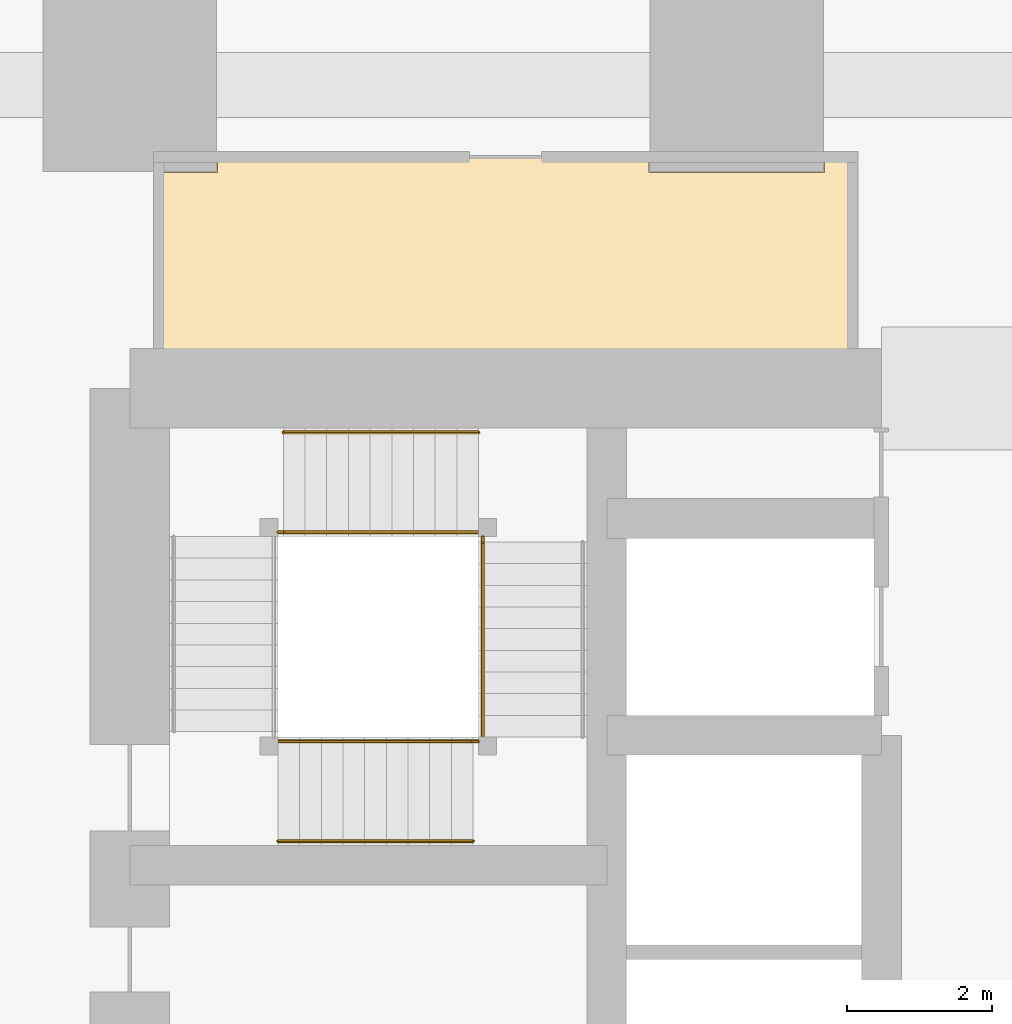
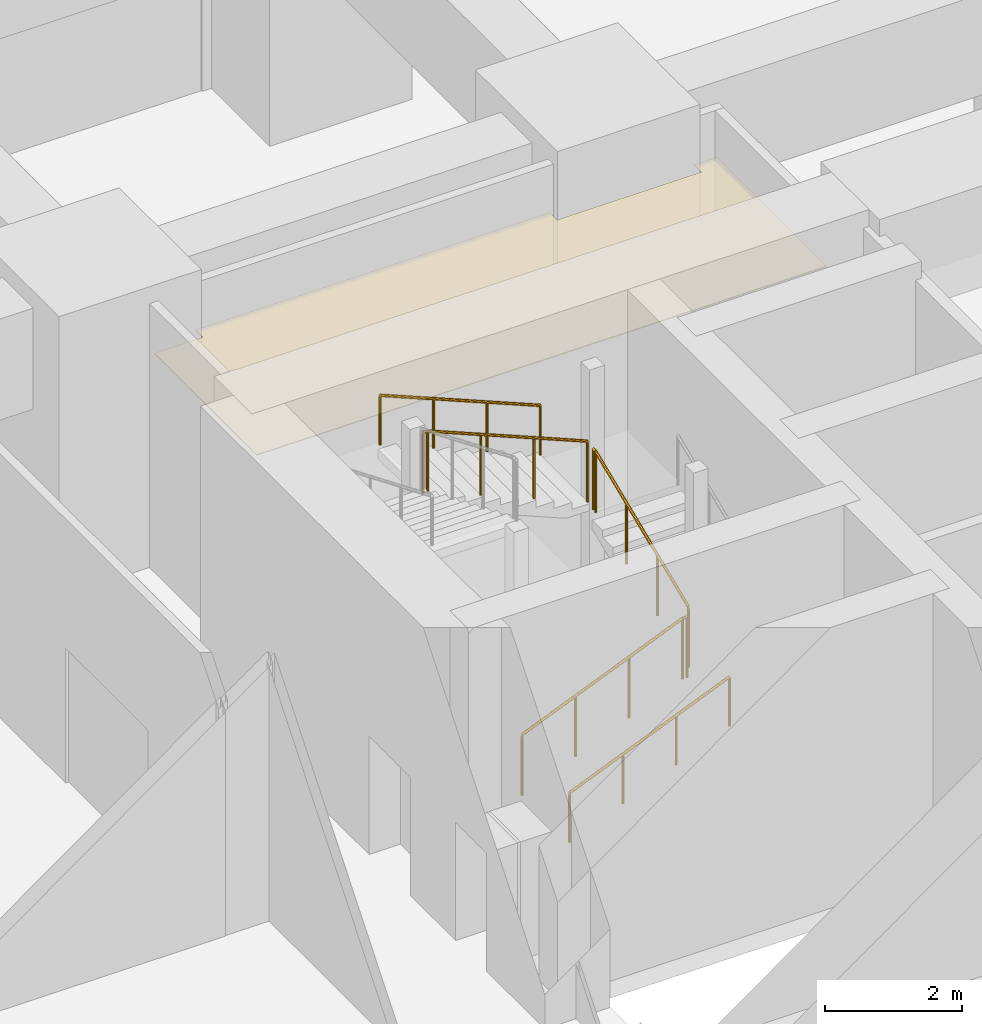
# One storey, part 46 of 49: 8 railings, 1 covering.
"""IFC4 building model written with IfcOpenShell, lengths in metres."""

from ifc_helpers import new_model, si_unit, direction, frame, origin, origin_2d, place, context, subcontext, project, spatial, polyline, circle, outline, extrude, material, layer, layer_set, type_object, element, save


model = new_model("IFC4")

# Units and contexts
model_context = context("Model", 3, precision=1e-05, world=origin(), true_north=direction((0.0, 1.0)))
body_context = subcontext(model_context, "Body", "Model", "MODEL_VIEW")
ifc_project = project(units=[si_unit("LENGTHUNIT", "METRE"), si_unit("AREAUNIT", "SQUARE_METRE"), si_unit("VOLUMEUNIT", "CUBIC_METRE"), si_unit("PLANEANGLEUNIT", "RADIAN"), si_unit("MASSUNIT", "GRAM", prefix="KILO")], contexts=[model_context])

# Site, building, storey
site_placement = place(None, origin())
site = spatial("IfcSite", under=ifc_project, at=site_placement, CompositionType="ELEMENT")
building_placement = place(site_placement, origin())
building = spatial("IfcBuilding", under=site, at=building_placement, Name="Rekha Terrace Tower", CompositionType="ELEMENT")
storey_placement = place(building_placement, frame((0.0, 0.0, 5.39990234375)))
storey = spatial("IfcBuildingStorey", under=building, at=storey_placement, Name="L01", CompositionType="ELEMENT", Elevation=5.39990234375)

# Covering
ifc_material_1 = material(Name="Fibre cement board", Category="finish")
ifc_layer = layer(ifc_material_1, 0.014892578125)
ifc_layer_set = layer_set([ifc_layer], Name="Fibre cement board")
covering_type = type_object("IfcCoveringType", Name="CL2 moisture-resistant board ceiling", PredefinedType="CEILING", material=ifc_layer_set)
covering_placement = place(storey_placement, frame((0.0, 0.0, 3.78515625)))
element("IfcCovering", 1, at=covering_placement, inside=storey, type_object=covering_type, Name="Ceiling L01-WCF2", PredefinedType="CEILING", context=body_context, shape_type="SweptSolid", body=[
    extrude(outline(polyline([(26.4150390625, 49.18505859375), (25.60009765625, 49.18505859375), (25.60009765625, 46.199951171875), (35.199951171875, 46.199951171875), (35.199951171875, 49.39990234375), (34.81494140625, 49.39990234375), (34.81494140625, 49.18505859375), (32.385009765625, 49.18505859375), (32.385009765625, 49.39990234375), (26.4150390625, 49.39990234375), (26.4150390625, 49.18505859375)])), origin(), (0.0, 0.0, 1.0), 0.014892578125),
])

# Railings
ifc_material_2 = material(Name="Stainless steel balustrade", Category="steel")
railing_type_1 = type_object("IfcRailingType", Name="GR1 1100 stair guard", PredefinedType="GUARDRAIL", material=ifc_material_2)
railing_1_placement = place(storey_placement, frame((27.25, 41.31494140625, 0.125)))
element("IfcRailing", 2, at=railing_1_placement, inside=storey, type_object=railing_type_1, Name="Guard ST4 L01 flight 1", PredefinedType="GUARDRAIL", context=body_context, shape_type="SweptSolid", body=[
    extrude(circle(Radius=0.02392578125, at=origin_2d()), frame((0.0, 0.0, 1.076171875), z_axis=(0.923074453586, 0.0, 0.384621311341), x_axis=(0.0, 1.0, 0.0)), (0.0, 0.0, 1.0), 2.925048828125),
    extrude(circle(Radius=0.02099609375, at=origin_2d()), origin(), (0.0, 0.0, 1.0), 1.052001953125),
    extrude(circle(Radius=0.02099609375, at=origin_2d()), frame((0.89990234375, 0.0, 0.375)), (0.0, 0.0, 1.0), 1.052001953125),
    extrude(circle(Radius=0.02099609375, at=origin_2d()), frame((1.800048828125, 0.0, 0.75)), (0.0, 0.0, 1.0), 1.052001953125),
    extrude(circle(Radius=0.02099609375, at=origin_2d()), frame((2.699951171875, 0.0, 1.125)), (0.0, 0.0, 1.0), 1.052001953125),
])
railing_2_placement = place(storey_placement, frame((30.0849609375, 41.375, 1.375)))
element("IfcRailing", 3, at=railing_2_placement, inside=storey, type_object=railing_type_1, Name="Guard ST4 L01 flight 2", PredefinedType="GUARDRAIL", context=body_context, shape_type="SweptSolid", body=[
    extrude(circle(Radius=0.02392578125, at=origin_2d()), frame((0.0, 0.0, 1.076171875), z_axis=(0.0, 0.923074453586, 0.384621311341), x_axis=(-1.0, 0.0, 0.0)), (0.0, 0.0, 1.0), 2.925048828125),
    extrude(circle(Radius=0.02099609375, at=origin_2d()), origin(), (0.0, 0.0, 1.0), 1.052001953125),
    extrude(circle(Radius=0.02099609375, at=origin_2d()), frame((0.0, 0.89990234375, 0.375)), (0.0, 0.0, 1.0), 1.052001953125),
    extrude(circle(Radius=0.02099609375, at=origin_2d()), frame((0.0, 1.800048828125, 0.75)), (0.0, 0.0, 1.0), 1.052001953125),
    extrude(circle(Radius=0.02099609375, at=origin_2d()), frame((0.0, 2.699951171875, 1.125)), (0.0, 0.0, 1.0), 1.052001953125),
])
railing_3_placement = place(storey_placement, frame((30.02490234375, 44.2099609375, 2.625)))
element("IfcRailing", 4, at=railing_3_placement, inside=storey, type_object=railing_type_1, Name="Guard ST4 L01 flight 3", PredefinedType="GUARDRAIL", context=body_context, shape_type="SweptSolid", body=[
    extrude(circle(Radius=0.02392578125, at=origin_2d()), frame((0.0, 0.0, 1.076171875), z_axis=(-0.923074453586, 0.0, 0.384621311341), x_axis=(0.0, -1.0, 0.0)), (0.0, 0.0, 1.0), 2.925048828125),
    extrude(circle(Radius=0.02099609375, at=origin_2d()), origin(), (0.0, 0.0, 1.0), 1.052001953125),
    extrude(circle(Radius=0.02099609375, at=origin_2d()), frame((-0.89990234375, 0.0, 0.375)), (0.0, 0.0, 1.0), 1.052001953125),
    extrude(circle(Radius=0.02099609375, at=origin_2d()), frame((-1.800048828125, 0.0, 0.75)), (0.0, 0.0, 1.0), 1.052001953125),
    extrude(circle(Radius=0.02099609375, at=origin_2d()), frame((-2.699951171875, 0.0, 1.125)), (0.0, 0.0, 1.0), 1.052001953125),
])
railing_4_placement = place(storey_placement, frame((29.949951171875, 41.31494140625, 1.25)))
element("IfcRailing", 5, at=railing_4_placement, inside=storey, type_object=railing_type_1, Name="Guard ST4 L01 landing 1", PredefinedType="GUARDRAIL", context=body_context, shape_type="SweptSolid", body=[
    extrude(circle(Radius=0.02392578125, at=origin_2d()), frame((0.0, 0.0, 1.076171875), z_axis=(1.0, 0.0, 0.0), x_axis=(0.0, 1.0, 0.0)), (0.0, 0.0, 1.0), 0.074951171875),
    extrude(circle(Radius=0.02099609375, at=origin_2d()), origin(), (0.0, 0.0, 1.0), 1.052001953125),
    extrude(circle(Radius=0.02099609375, at=origin_2d()), frame((0.074951171875, 0.0, 0.0)), (0.0, 0.0, 1.0), 1.052001953125),
])
railing_5_placement = place(storey_placement, frame((30.0849609375, 44.074951171875, 2.5)))
element("IfcRailing", 6, at=railing_5_placement, inside=storey, type_object=railing_type_1, Name="Guard ST4 L01 landing 2", PredefinedType="GUARDRAIL", context=body_context, shape_type="SweptSolid", body=[
    extrude(circle(Radius=0.02392578125, at=origin_2d()), frame((0.0, 0.0, 1.076171875), z_axis=(0.0, 1.0, 0.0), x_axis=(-1.0, 0.0, 0.0)), (0.0, 0.0, 1.0), 0.074951171875),
    extrude(circle(Radius=0.02099609375, at=origin_2d()), origin(), (0.0, 0.0, 1.0), 1.052001953125),
    extrude(circle(Radius=0.02099609375, at=origin_2d()), frame((0.0, 0.074951171875, 0.0)), (0.0, 0.0, 1.0), 1.052001953125),
])
railing_6_placement = place(storey_placement, frame((27.25, 44.2099609375, 3.75)))
element("IfcRailing", 7, at=railing_6_placement, inside=storey, type_object=railing_type_1, Name="Guard ST4 L01 landing 3", PredefinedType="GUARDRAIL", context=body_context, shape_type="SweptSolid", body=[
    extrude(circle(Radius=0.02392578125, at=origin_2d()), frame((0.0, 0.0, 1.076171875), z_axis=(1.0, 0.0, 0.0), x_axis=(0.0, 1.0, 0.0)), (0.0, 0.0, 1.0), 0.074951171875),
    extrude(circle(Radius=0.02099609375, at=origin_2d()), origin(), (0.0, 0.0, 1.0), 1.052001953125),
    extrude(circle(Radius=0.02099609375, at=origin_2d()), frame((0.074951171875, 0.0, 0.0)), (0.0, 0.0, 1.0), 1.052001953125),
])
ifc_material_3 = material(Name="Stainless steel tube", Category="steel")
railing_type_2 = type_object("IfcRailingType", Name="HR1 900 stair handrail", PredefinedType="HANDRAIL", material=ifc_material_3)
railing_7_placement = place(storey_placement, frame((27.25, 39.93505859375, 0.125)))
element("IfcRailing", 8, at=railing_7_placement, inside=storey, type_object=railing_type_2, Name="Handrail ST4 L01 flight 1", PredefinedType="HANDRAIL", context=body_context, shape_type="SweptSolid", body=[
    extrude(circle(Radius=0.02392578125, at=origin_2d()), frame((0.0, 0.0, 0.8759765625), z_axis=(0.923074453586, 0.0, 0.384621311341), x_axis=(0.0, 1.0, 0.0)), (0.0, 0.0, 1.0), 2.925048828125),
    extrude(circle(Radius=0.02099609375, at=origin_2d()), origin(), (0.0, 0.0, 1.0), 0.851806640625),
    extrude(circle(Radius=0.02099609375, at=origin_2d()), frame((0.89990234375, 0.0, 0.375)), (0.0, 0.0, 1.0), 0.851806640625),
    extrude(circle(Radius=0.02099609375, at=origin_2d()), frame((1.800048828125, 0.0, 0.75)), (0.0, 0.0, 1.0), 0.851806640625),
    extrude(circle(Radius=0.02099609375, at=origin_2d()), frame((2.699951171875, 0.0, 1.125)), (0.0, 0.0, 1.0), 0.851806640625),
])
railing_8_placement = place(storey_placement, frame((30.02490234375, 45.590087890625, 2.625)))
element("IfcRailing", 9, at=railing_8_placement, inside=storey, type_object=railing_type_2, Name="Handrail ST4 L01 flight 3", PredefinedType="HANDRAIL", context=body_context, shape_type="SweptSolid", body=[
    extrude(circle(Radius=0.02392578125, at=origin_2d()), frame((0.0, 0.0, 0.8759765625), z_axis=(-0.923074453586, 0.0, 0.384621311341), x_axis=(0.0, -1.0, 0.0)), (0.0, 0.0, 1.0), 2.925048828125),
    extrude(circle(Radius=0.02099609375, at=origin_2d()), origin(), (0.0, 0.0, 1.0), 0.851806640625),
    extrude(circle(Radius=0.02099609375, at=origin_2d()), frame((-0.89990234375, 0.0, 0.375)), (0.0, 0.0, 1.0), 0.851806640625),
    extrude(circle(Radius=0.02099609375, at=origin_2d()), frame((-1.800048828125, 0.0, 0.75)), (0.0, 0.0, 1.0), 0.851806640625),
    extrude(circle(Radius=0.02099609375, at=origin_2d()), frame((-2.699951171875, 0.0, 1.125)), (0.0, 0.0, 1.0), 0.851806640625),
])

save(model, "model.ifc")
